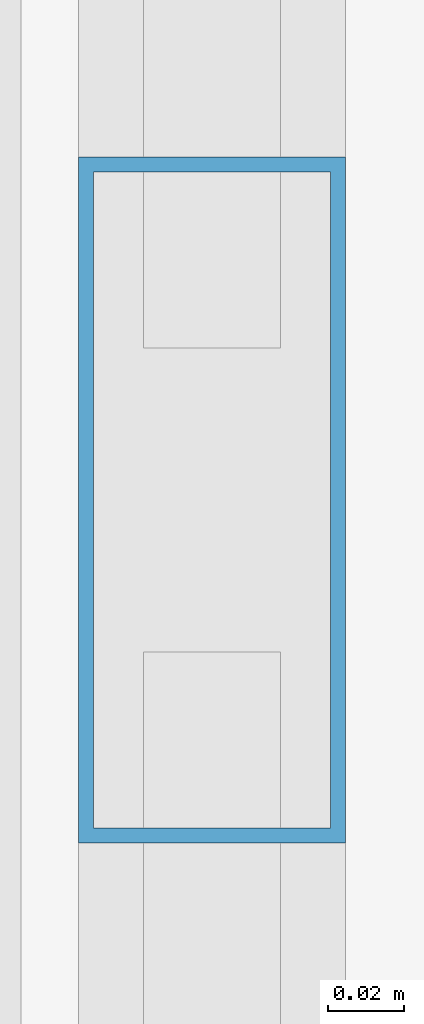
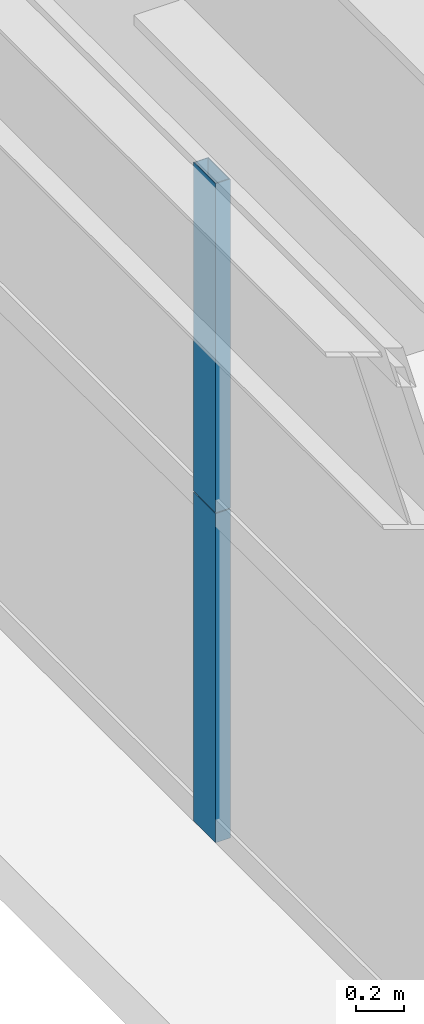
# One storey, part 9 of 44: 2 members, 1 element without a shape of its own.
"""IFC4 building model written with IfcOpenShell, lengths in metres."""

from ifc_helpers import new_model, si_unit, direction, frame, origin, origin_2d, place, context, subcontext, project, spatial, hollow_rectangle, extrude, source, transform, mapped, material, layer, layer_set, material_profile, profile_set, type_object, element, aggregate, save


model = new_model("IFC4")

# Units and contexts
model_context = context("Model", 3, precision=1e-05, world=origin(), true_north=direction((0.0, 1.0)))
body_context = subcontext(model_context, "Body", "Model", "MODEL_VIEW")
ifc_project = project(units=[si_unit("LENGTHUNIT", "METRE"), si_unit("AREAUNIT", "SQUARE_METRE"), si_unit("VOLUMEUNIT", "CUBIC_METRE"), si_unit("PLANEANGLEUNIT", "RADIAN"), si_unit("MASSUNIT", "GRAM", prefix="KILO"), si_unit("THERMODYNAMICTEMPERATUREUNIT", "KELVIN"), si_unit("POWERUNIT", "WATT")], contexts=[model_context])

# Site, building, storey
site_placement = place(None, origin())
site = spatial("IfcSite", under=ifc_project, at=site_placement, CompositionType="ELEMENT")
building_placement = place(site_placement, origin())
building = spatial("IfcBuilding", under=site, at=building_placement, Name="Yuzanri Waterfront Tower", CompositionType="ELEMENT")
storey_placement = place(building_placement, frame((0.0, 0.0, 82.0)))
storey = spatial("IfcBuildingStorey", under=building, at=storey_placement, Name="L21", CompositionType="ELEMENT", Elevation=82.0)

# Curtain wall, members
ifc_material_1 = material(Name="Anodized Architectural Bronze", Category="metal")
ifc_layer = layer(ifc_material_1, 0.159912109375)
ifc_layer_set = layer_set([ifc_layer], Name="Anodized Architectural Bronze")
curtain_wall_type = type_object("IfcCurtainWallType", Name="Anodized Bronze Hotel Lower-Tier Recessed Unitized Curtain Wall 8100", PredefinedType="NOTDEFINED", material=ifc_layer_set)
curtain_wall_placement = place(storey_placement, origin())
curtain_wall = element("IfcCurtainWall", 1, at=curtain_wall_placement, inside=storey, type_object=curtain_wall_type, Name="L21 Curtain Wall CW-L21-WL", PredefinedType="NOTDEFINED")
ifc_material_2 = material(Name="Anodized Architectural Bronze", Category="metal")
ifc_material_profile = material_profile(ifc_material_2, hollow_rectangle(XDim=0.070068359375, YDim=0.179931640625, WallThickness=0.00390625, at=origin_2d()), Name="CWM 70x180")
ifc_profile_set = profile_set([ifc_material_profile], Name="Anodized Architectural Bronze")
member_type = type_object("IfcMemberType", Name="Anodized Bronze Standard Curtain-Wall Mullion 70x180", PredefinedType="MULLION", material=ifc_profile_set)
shared_shape = source(origin(), body_context, "Body", "SweptSolid", [
    extrude(hollow_rectangle(XDim=0.070068359375, YDim=0.179931640625, WallThickness=0.00390625, at=origin_2d()), origin(), (0.0, 0.0, 1.0), 1.657958984375),
])
member_1_placement = place(storey_placement, frame((12.050048828125, 16.699951171875, 0.0), z_axis=(0.0, 0.0, 1.0), x_axis=(1.0, 0.0, 0.0)))
member_1 = element("IfcMember", 2, at=member_1_placement, type_object=member_type, Name="CW-L21-WL Lower Mullion 01", PredefinedType="MULLION", context=body_context, shape_type="MappedRepresentation", body=[
    mapped(shared_shape, transform((0.0, 0.0, 0.0), scale=1.0)),
])
member_2_placement = place(storey_placement, frame((12.050048828125, 16.699951171875, 1.662109375), z_axis=(0.0, 0.0, 1.0), x_axis=(1.0, 0.0, 0.0)))
member_2 = element("IfcMember", 3, at=member_2_placement, type_object=member_type, Name="CW-L21-WL Upper Mullion 01", PredefinedType="MULLION", context=body_context, shape_type="MappedRepresentation", body=[
    mapped(shared_shape, transform((0.0, 0.0, 0.0), scale=1.0)),
])
aggregate(curtain_wall, [member_1, member_2])

save(model, "model.ifc")
